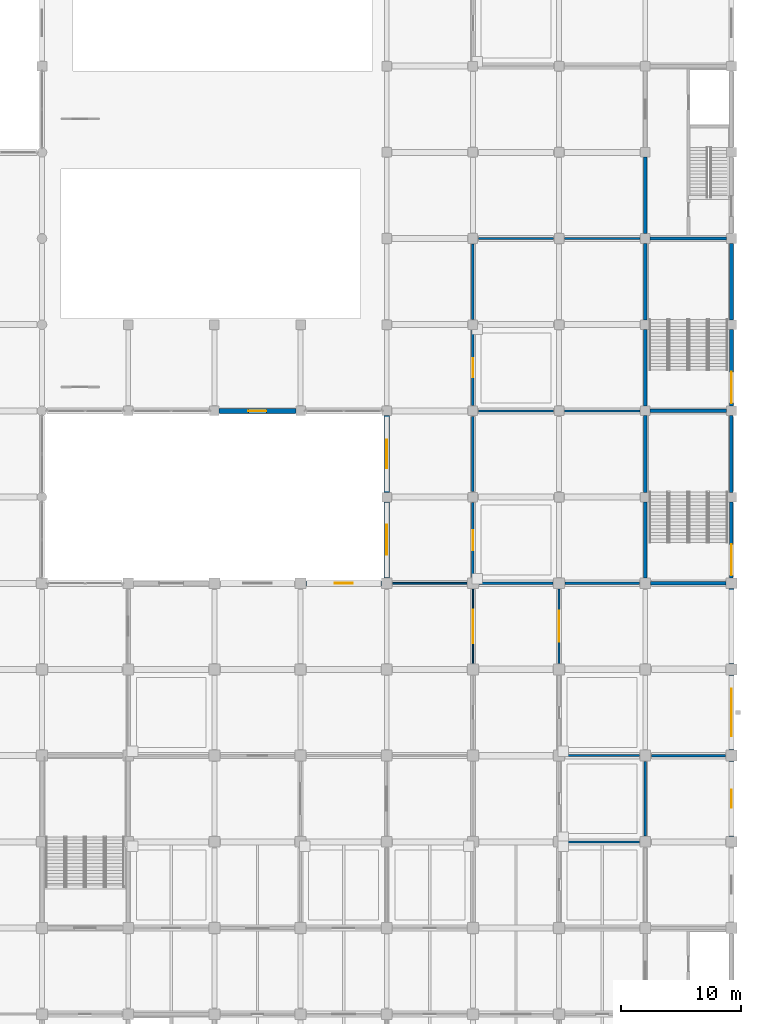
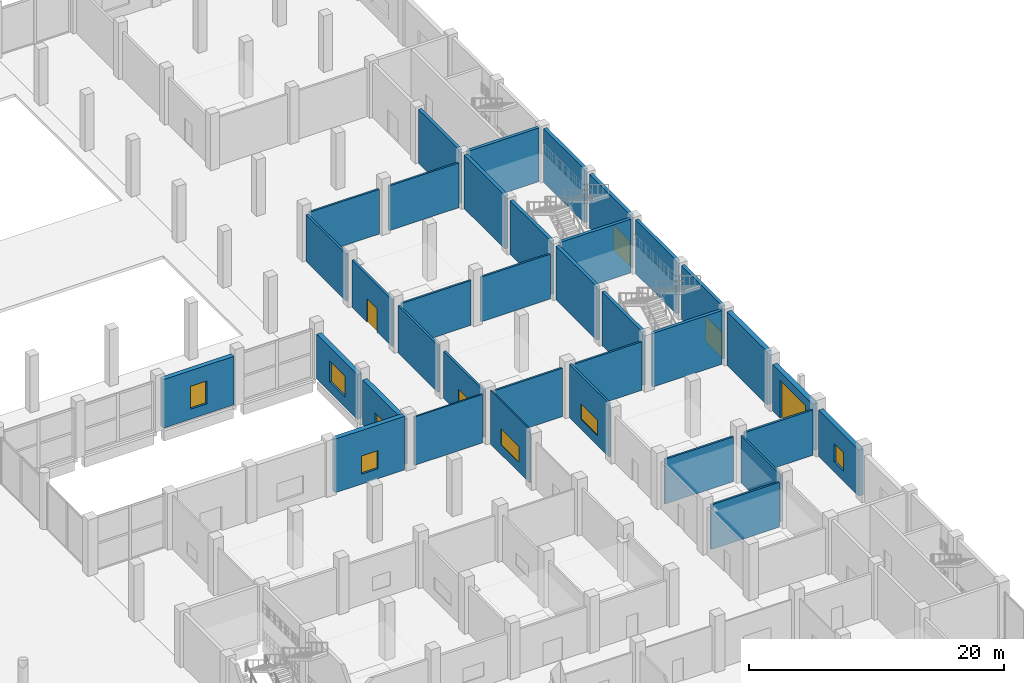
# One storey, part 52 of 70: 36 walls, 7 windows, 5 doors, 12 openings.
"""IFC4 building model written with IfcOpenShell, lengths in metres."""

import ifcopenshell
import ifcopenshell.guid

model = None  # the IFC model being written
_history = None  # IfcOwnerHistory: only IFC2X3 demands one
_inside = {}  # id of a spatial element -> (the spatial element, [elements in it])
_under = {}  # id of a project, library or spatial element -> (it, [spatial elements below it])
_declared = {}  # id of a project -> (the project, [libraries it declares])
_typed = {}  # id of a type object -> (the type object, [elements of that type])
_made_of = {}  # id of a material, layer set ... -> (it, [elements and type objects made of it])


def new_model(schema):
    """Start an empty IFC model of exactly this schema.

    Asked for "IFC4X3", IfcOpenShell would pick the latest addendum, in which some entities
    have other attributes; the version numbers below select the first issue.
    IFC2X3 requires an IfcOwnerHistory on every rooted entity: one is made here for all.
    """
    global model, _history
    if schema == "IFC4X3":
        model = ifcopenshell.file(schema_version=(4, 3, 0, 0))
    else:
        model = ifcopenshell.file(schema=schema)
    _inside.clear()
    _under.clear()
    _declared.clear()
    _typed.clear()
    _made_of.clear()
    _history = None
    if model.schema == "IFC2X3":
        org = make("IfcOrganization", Name="unknown")
        user = make(
            "IfcPersonAndOrganization",
            ThePerson=make("IfcPerson", FamilyName="unknown"),
            TheOrganization=org,
        )
        app = make(
            "IfcApplication",
            ApplicationDeveloper=org,
            Version="unknown",
            ApplicationFullName="unknown",
            ApplicationIdentifier="unknown",
        )
        _history = make(
            "IfcOwnerHistory",
            OwningUser=user,
            OwningApplication=app,
            ChangeAction="ADDED",
            CreationDate=0,
        )
    return model


def make(cls, **values):
    """One entity of the class cls with the attributes given. An attribute that is None is left unset."""
    return model.create_entity(
        cls, **{name: value for name, value in values.items() if value is not None}
    )


def rooted(cls, **values):
    """An entity with a GlobalId (a new one), such as an element, a storey or a relation."""
    return make(cls, GlobalId=ifcopenshell.guid.new(), OwnerHistory=_history, **values)


def si_unit(unit_type, name, prefix=None):
    """IfcSIUnit, for example si_unit("LENGTHUNIT", "METRE", prefix="MILLI")."""
    return make("IfcSIUnit", UnitType=unit_type, Prefix=prefix, Name=name)


def assignment(units):
    """IfcUnitAssignment: the units of a project."""
    return None if units is None else make("IfcUnitAssignment", Units=units)


def point(xyz):
    """IfcCartesianPoint."""
    return None if xyz is None else make("IfcCartesianPoint", Coordinates=xyz)


def direction(xyz):
    """IfcDirection."""
    return None if xyz is None else make("IfcDirection", DirectionRatios=xyz)


def frame(location, z_axis=None, x_axis=None):
    """IfcAxis2Placement3D, a coordinate frame: its origin and axes. An axis left out is left unset."""
    return make(
        "IfcAxis2Placement3D",
        Location=point(location),
        Axis=direction(z_axis),
        RefDirection=direction(x_axis),
    )


def frame_2d(location, x_axis=None):
    """IfcAxis2Placement2D, a coordinate frame in the plane: its origin and x axis."""
    return make(
        "IfcAxis2Placement2D", Location=point(location), RefDirection=direction(x_axis)
    )


def origin():
    """The frame at (0, 0, 0) with its axes left unset."""
    return frame((0.0, 0.0, 0.0))


def place(relative_to, where):
    """IfcLocalPlacement: puts the frame where relative to a parent placement (None: the world)."""
    return make(
        "IfcLocalPlacement", PlacementRelTo=relative_to, RelativePlacement=where
    )


def context(
    kind, dimensions, precision=None, world=None, true_north=None, identifier=None
):
    """IfcGeometricRepresentationContext, for example the 3D "Model" context."""
    return make(
        "IfcGeometricRepresentationContext",
        ContextIdentifier=identifier,
        ContextType=kind,
        CoordinateSpaceDimension=dimensions,
        Precision=precision,
        WorldCoordinateSystem=world,
        TrueNorth=true_north,
    )


def subcontext(parent, identifier, kind, view, scale=None):
    """IfcGeometricRepresentationSubContext, for example "Body" below "Model"."""
    return make(
        "IfcGeometricRepresentationSubContext",
        ContextIdentifier=identifier,
        ContextType=kind,
        ParentContext=parent,
        TargetScale=scale,
        TargetView=view,
    )


def project(units=None, contexts=None):
    """IfcProject with its units and contexts."""
    return rooted(
        "IfcProject",
        Name="project",
        RepresentationContexts=contexts,
        UnitsInContext=assignment(units),
    )


def spatial(cls, under=None, at=None, **own):
    """A site, building, storey or space (cls), placed at a placement, below another one or the project."""
    s = rooted(cls, ObjectPlacement=at, **own)
    if under is not None:
        _under.setdefault(under.id(), (under, []))[1].append(s)
    return s


def profile(cls, at=None, kind="AREA", **sizes):
    """A parametric profile (cls). Its sizes go by their IFC names, for example OverallWidth=200.0."""
    return make(cls, ProfileType=kind, Position=at, **sizes)


def rectangle(**sizes):
    """IfcRectangleProfileDef."""
    return profile("IfcRectangleProfileDef", **sizes)


def extrude(swept, where, along, depth):
    """IfcExtrudedAreaSolid: the profile swept, set in the frame where, extruded along a direction by depth."""
    return make(
        "IfcExtrudedAreaSolid",
        SweptArea=swept,
        Position=where,
        ExtrudedDirection=direction(along),
        Depth=depth,
    )


def shape(context_of_items, identifier, shape_type, items):
    """IfcShapeRepresentation: the items that make up one representation, for example the "Body"."""
    return make(
        "IfcShapeRepresentation",
        ContextOfItems=context_of_items,
        RepresentationIdentifier=identifier,
        RepresentationType=shape_type,
        Items=items,
    )


def material(Name=None, Category=None):
    """IfcMaterial."""
    return make("IfcMaterial", Name=Name, Category=Category)


def layer(
    of_material, thickness, ventilated=None, Name=None, Category=None, Priority=None
):
    """IfcMaterialLayer: one layer of a wall or slab, of a material (None: an air gap)."""
    return make(
        "IfcMaterialLayer",
        Material=of_material,
        LayerThickness=thickness,
        IsVentilated=ventilated,
        Name=Name,
        Category=Category,
        Priority=Priority,
    )


def layer_set(layers, Name=None):
    """IfcMaterialLayerSet."""
    return make("IfcMaterialLayerSet", MaterialLayers=layers, LayerSetName=Name)


def made_of(thing, what):
    """Note that an element or type object is made of a material, layer set ...; save() writes the relation."""
    if what is not None:
        _made_of.setdefault(what.id(), (what, []))[1].append(thing)
    return thing


def type_object(cls, material=None, **own):
    """A type object (cls), such as IfcWallType, which elements share."""
    return made_of(rooted(cls, **own), material)


def element(
    cls,
    number,
    at=None,
    inside=None,
    cuts=None,
    type_object=None,
    material=None,
    context=None,
    identifier="Body",
    shape_type=None,
    held_by="IfcProductDefinitionShape",
    body=None,
    shapes=None,
    **own,
):
    """One element of the class cls, such as IfcWall. Its Tag is "e" and its number.

    at: its placement. inside: the storey or other place that contains it. cuts: it is an
    opening in that element (IfcRelVoidsElement). A single representation is given by context,
    identifier, shape_type and body (its items); several are given by shapes. held_by: the class
    of the entity that holds the representations. save() writes the other relations.
    """
    e = rooted(cls, Tag="e%d" % number, ObjectPlacement=at, **own)
    if body is not None:
        shapes = [shape(context, identifier, shape_type, body)]
    if shapes is not None:
        e.Representation = make(held_by, Representations=shapes)
    if inside is not None:
        _inside.setdefault(inside.id(), (inside, []))[1].append(e)
    if cuts is not None:
        rooted(
            "IfcRelVoidsElement", RelatingBuildingElement=cuts, RelatedOpeningElement=e
        )
    if type_object is not None:
        _typed.setdefault(type_object.id(), (type_object, []))[1].append(e)
    return made_of(e, material)


def fill(opening, filler):
    """IfcRelFillsElement: the door or window that sits in an opening."""
    return rooted(
        "IfcRelFillsElement",
        RelatingOpeningElement=opening,
        RelatedBuildingElement=filler,
    )


def aggregate(whole, parts):
    """IfcRelAggregates: a whole, such as a stair, and the parts it consists of."""
    return rooted("IfcRelAggregates", RelatingObject=whole, RelatedObjects=parts)


def save(model, path):
    """Write the relations noted so far, then the file.

    IfcRelAggregates (storeys below a building ...), IfcRelContainedInSpatialStructure (elements
    in a storey), IfcRelDefinesByType, IfcRelAssociatesMaterial and IfcRelDeclares: one each for
    every whole, place, type object, material and project.
    """
    for whole, parts in _under.values():
        aggregate(whole, parts)
    for where, things in _inside.values():
        rooted(
            "IfcRelContainedInSpatialStructure",
            RelatedElements=things,
            RelatingStructure=where,
        )
    for kind, things in _typed.values():
        rooted("IfcRelDefinesByType", RelatedObjects=things, RelatingType=kind)
    for what, things in _made_of.values():
        rooted("IfcRelAssociatesMaterial", RelatedObjects=things, RelatingMaterial=what)
    for by, libraries in _declared.values():
        rooted("IfcRelDeclares", RelatingContext=by, RelatedDefinitions=libraries)
    model.write(path)


model = new_model("IFC4")

# Units and contexts
model_context = context("Model", 3, precision=1e-05, world=origin(), true_north=direction((0.0, 1.0)))
body_context = subcontext(model_context, "Body", "Model", "MODEL_VIEW")
ifc_project = project(units=[si_unit("LENGTHUNIT", "METRE"), si_unit("AREAUNIT", "SQUARE_METRE"), si_unit("VOLUMEUNIT", "CUBIC_METRE"), si_unit("PLANEANGLEUNIT", "RADIAN"), si_unit("MASSUNIT", "GRAM", prefix="KILO")], contexts=[model_context])

# Site, building, storey
site_placement = place(None, origin())
site = spatial("IfcSite", under=ifc_project, at=site_placement, CompositionType="ELEMENT")
building_placement = place(site_placement, origin())
building = spatial("IfcBuilding", under=site, at=building_placement, Name="Vesperath Aquatics Centre", CompositionType="ELEMENT")
storey_placement = place(building_placement, origin())
storey = spatial("IfcBuildingStorey", under=building, at=storey_placement, Name="L00", CompositionType="ELEMENT", Elevation=0.0)

# Wall, opening, window
ifc_material_1 = material(Name="Liaoning grey granite ashlar insulated cavity wall", Category="masonry")
ifc_layer_1 = layer(ifc_material_1, 0.419921875)
ifc_layer_set_1 = layer_set([ifc_layer_1], Name="Liaoning grey granite ashlar insulated cavity wall")
wall_type_1 = type_object("IfcWallType", Name="WL-EW01", PredefinedType="SOLIDWALL", material=ifc_layer_set_1)
wall_1_placement = place(storey_placement, frame((137.25, 50.39990234375, 0.0), z_axis=(0.0, 0.0, 1.0), x_axis=(1.0, 0.0, 0.0)))
wall_1 = element("IfcWall", 1, at=wall_1_placement, inside=storey, type_object=wall_type_1, Name="Exterior Wall EW01 L00_N_19_07", PredefinedType="SOLIDWALL", context=body_context, shape_type="SweptSolid", body=[
    extrude(rectangle(XDim=6.300048828125, YDim=0.419921875, at=frame_2d((3.14990234375, 0.0))), origin(), (0.0, 0.0, 1.0), 5.139892578125),
])
opening_1_placement = place(wall_1_placement, frame((2.39990234375, 0.0, 0.949951171875)))
opening_1 = element("IfcOpeningElement", 2, at=opening_1_placement, cuts=wall_1, Name="Opening W13", PredefinedType="OPENING", context=body_context, shape_type="SweptSolid", body=[
    extrude(rectangle(XDim=1.5, YDim=1.75, at=frame_2d((0.75, 0.875))), frame((0.0, 0.224853515625, 0.0), z_axis=(0.0, -1.0, 0.0), x_axis=(1.0, 0.0, 0.0)), (0.0, 0.0, 1.0), 0.44970703125),
])
ifc_material_2 = material(Name="Thermally broken aluminium triple-glazed window", Category="aluminium")
window_type_1 = type_object("IfcWindowType", Name="WN-W13", PartitioningType="SINGLE_PANEL", PredefinedType="WINDOW", material=ifc_material_2)
window_1_placement = place(opening_1_placement, origin())
window_1 = element("IfcWindow", 3, at=window_1_placement, inside=storey, type_object=window_type_1, Name="Deep-Reveal Casement Window W13 L00_N_19_07", OverallHeight=1.75, OverallWidth=1.5, PartitioningType="SINGLE_PANEL", PredefinedType="WINDOW", context=body_context, shape_type="SweptSolid", body=[
    extrude(rectangle(XDim=1.5, YDim=1.75, at=frame_2d((0.75, 0.875))), frame((0.0, 0.030029296875, 0.0), z_axis=(0.0, -1.0, 0.0), x_axis=(1.0, 0.0, 0.0)), (0.0, 0.0, 1.0), 0.06005859375),
])
fill(opening_1, window_1)

wall_2_placement = place(storey_placement, frame((130.0, 64.800048828125, 0.0), z_axis=(0.0, 0.0, 1.0), x_axis=(1.0, 0.0, 0.0)))
wall_2 = element("IfcWall", 4, at=wall_2_placement, inside=storey, type_object=wall_type_1, Name="Exterior Wall EW01 L00_S_18_09", PredefinedType="SOLIDWALL", context=body_context, shape_type="SweptSolid", body=[
    extrude(rectangle(XDim=6.39990234375, YDim=0.419921875, at=frame_2d((3.199951171875, 0.0))), origin(), (0.0, 0.0, 1.0), 4.639892578125),
])
opening_2_placement = place(wall_2_placement, frame((2.449951171875, 0.0, 0.949951171875)))
opening_2 = element("IfcOpeningElement", 5, at=opening_2_placement, cuts=wall_2, Name="Opening W04", PredefinedType="OPENING", context=body_context, shape_type="SweptSolid", body=[
    extrude(rectangle(XDim=1.5, YDim=2.199951171875, at=frame_2d((0.75, 1.10009765625))), frame((0.0, 0.224853515625, 0.0), z_axis=(0.0, -1.0, 0.0), x_axis=(1.0, 0.0, 0.0)), (0.0, 0.0, 1.0), 0.44970703125),
])
window_type_2 = type_object("IfcWindowType", Name="WN-W04", PartitioningType="SINGLE_PANEL", PredefinedType="WINDOW", material=ifc_material_2)
window_2_placement = place(opening_2_placement, origin())
window_2 = element("IfcWindow", 6, at=window_2_placement, inside=storey, type_object=window_type_2, Name="Deep-Reveal Casement Window W04 L00_S_18_09", OverallHeight=2.199951171875, OverallWidth=1.5, PartitioningType="SINGLE_PANEL", PredefinedType="WINDOW", context=body_context, shape_type="SweptSolid", body=[
    extrude(rectangle(XDim=1.5, YDim=2.199951171875, at=frame_2d((0.75, 1.10009765625))), frame((0.0, 0.030029296875, 0.0), z_axis=(0.0, -1.0, 0.0), x_axis=(1.0, 0.0, 0.0)), (0.0, 0.0, 1.0), 0.06005859375),
])
fill(opening_2, window_2)

wall_3_placement = place(storey_placement, frame((144.0, 50.85009765625, 0.0), z_axis=(0.0, 0.0, 1.0), x_axis=(0.0, 1.0, 0.0)))
wall_3 = element("IfcWall", 7, at=wall_3_placement, inside=storey, type_object=wall_type_1, Name="Exterior Wall EW01 L00_W_20_07", PredefinedType="SOLIDWALL", context=body_context, shape_type="SweptSolid", body=[
    extrude(rectangle(XDim=6.349853515625, YDim=0.419921875, at=frame_2d((3.1748046875, 0.0))), origin(), (0.0, 0.0, 1.0), 4.2900390625),
])
opening_3_placement = place(wall_3_placement, frame((1.925048828125, 0.0, 0.949951171875)))
opening_3 = element("IfcOpeningElement", 8, at=opening_3_placement, cuts=wall_3, Name="Opening W16", PredefinedType="OPENING", context=body_context, shape_type="SweptSolid", body=[
    extrude(rectangle(XDim=2.5, YDim=1.35009765625, at=frame_2d((1.25, 0.675048828125))), frame((0.0, 0.224853515625, 0.0), z_axis=(0.0, -1.0, 0.0), x_axis=(1.0, 0.0, 0.0)), (0.0, 0.0, 1.0), 0.44970703125),
])
window_type_3 = type_object("IfcWindowType", Name="WN-W16", PartitioningType="SINGLE_PANEL", PredefinedType="WINDOW", material=ifc_material_2)
window_3_placement = place(opening_3_placement, origin())
window_3 = element("IfcWindow", 9, at=window_3_placement, inside=storey, type_object=window_type_3, Name="Deep-Reveal Casement Window W16 L00_W_20_07", OverallHeight=1.35009765625, OverallWidth=2.5, PartitioningType="SINGLE_PANEL", PredefinedType="WINDOW", context=body_context, shape_type="SweptSolid", body=[
    extrude(rectangle(XDim=2.5, YDim=1.35009765625, at=frame_2d((1.25, 0.675048828125))), frame((0.0, 0.030029296875, 0.0), z_axis=(0.0, -1.0, 0.0), x_axis=(1.0, 0.0, 0.0)), (0.0, 0.0, 1.0), 0.06005859375),
])
fill(opening_3, window_3)

wall_4_placement = place(storey_placement, frame((144.0, 58.0, 0.0), z_axis=(0.0, 0.0, 1.0), x_axis=(0.0, 1.0, 0.0)))
wall_4 = element("IfcWall", 10, at=wall_4_placement, inside=storey, type_object=wall_type_1, Name="Exterior Wall EW01 L00_W_20_08", PredefinedType="SOLIDWALL", context=body_context, shape_type="SweptSolid", body=[
    extrude(rectangle(XDim=6.39990234375, YDim=0.419921875, at=frame_2d((3.199951171875, 0.0))), origin(), (0.0, 0.0, 1.0), 4.2900390625),
])
opening_4_placement = place(wall_4_placement, frame((2.0, 0.0, 0.949951171875)))
opening_4 = element("IfcOpeningElement", 11, at=opening_4_placement, cuts=wall_4, Name="Opening W05", PredefinedType="OPENING", context=body_context, shape_type="SweptSolid", body=[
    extrude(rectangle(XDim=2.39990234375, YDim=2.0, at=frame_2d((1.199951171875, 1.0))), frame((0.0, 0.224853515625, 0.0), z_axis=(0.0, -1.0, 0.0), x_axis=(1.0, 0.0, 0.0)), (0.0, 0.0, 1.0), 0.44970703125),
])
window_type_4 = type_object("IfcWindowType", Name="WN-W05", PartitioningType="SINGLE_PANEL", PredefinedType="WINDOW", material=ifc_material_2)
window_4_placement = place(opening_4_placement, origin())
window_4 = element("IfcWindow", 12, at=window_4_placement, inside=storey, type_object=window_type_4, Name="Deep-Reveal Casement Window W05 L00_W_20_08", OverallHeight=2.0, OverallWidth=2.39990234375, PartitioningType="SINGLE_PANEL", PredefinedType="WINDOW", context=body_context, shape_type="SweptSolid", body=[
    extrude(rectangle(XDim=2.39990234375, YDim=2.0, at=frame_2d((1.199951171875, 1.0))), frame((0.0, 0.030029296875, 0.0), z_axis=(0.0, -1.0, 0.0), x_axis=(1.0, 0.0, 0.0)), (0.0, 0.0, 1.0), 0.06005859375),
])
fill(opening_4, window_4)

wall_5_placement = place(storey_placement, frame((172.800048828125, 29.25, 0.0), z_axis=(0.0, 0.0, 1.0), x_axis=(0.0, 1.0, 0.0)))
wall_5 = element("IfcWall", 13, at=wall_5_placement, inside=storey, type_object=wall_type_1, Name="Exterior Wall EW01 L00_E_24_04", PredefinedType="SOLIDWALL", context=body_context, shape_type="SweptSolid", body=[
    extrude(rectangle(XDim=6.300048828125, YDim=0.419921875, at=frame_2d((3.14990234375, 0.0))), origin(), (0.0, 0.0, 1.0), 4.43994140625),
])
opening_5_placement = place(wall_5_placement, frame((2.39990234375, 0.0, 0.949951171875)))
opening_5 = element("IfcOpeningElement", 14, at=opening_5_placement, cuts=wall_5, Name="Opening W13", PredefinedType="OPENING", context=body_context, shape_type="SweptSolid", body=[
    extrude(rectangle(XDim=1.5, YDim=1.75, at=frame_2d((0.75, 0.875))), frame((0.0, 0.224853515625, 0.0), z_axis=(0.0, -1.0, 0.0), x_axis=(1.0, 0.0, 0.0)), (0.0, 0.0, 1.0), 0.44970703125),
])
window_5_placement = place(opening_5_placement, origin())
window_5 = element("IfcWindow", 15, at=window_5_placement, inside=storey, type_object=window_type_1, Name="Deep-Reveal Casement Window W13 L00_E_24_04", OverallHeight=1.75, OverallWidth=1.5, PartitioningType="SINGLE_PANEL", PredefinedType="WINDOW", context=body_context, shape_type="SweptSolid", body=[
    extrude(rectangle(XDim=1.5, YDim=1.75, at=frame_2d((0.75, 0.875))), frame((0.0, 0.030029296875, 0.0), z_axis=(0.0, -1.0, 0.0), x_axis=(1.0, 0.0, 0.0)), (0.0, 0.0, 1.0), 0.06005859375),
])
fill(opening_5, window_5)

# Wall, opening, door
wall_6_placement = place(storey_placement, frame((172.800048828125, 36.449951171875, 0.0), z_axis=(0.0, 0.0, 1.0), x_axis=(0.0, 1.0, 0.0)))
wall_6 = element("IfcWall", 16, at=wall_6_placement, inside=storey, type_object=wall_type_1, Name="Exterior Wall EW01 L00_E_24_05", PredefinedType="SOLIDWALL", context=body_context, shape_type="SweptSolid", body=[
    extrude(rectangle(XDim=6.300048828125, YDim=0.419921875, at=frame_2d((3.14990234375, 0.0))), origin(), (0.0, 0.0, 1.0), 4.43994140625),
])
opening_6_placement = place(wall_6_placement, frame((1.14990234375, 0.0, 0.0)))
opening_6 = element("IfcOpeningElement", 17, at=opening_6_placement, cuts=wall_6, Name="Opening RS01", PredefinedType="OPENING", context=body_context, shape_type="SweptSolid", body=[
    extrude(rectangle(XDim=4.0, YDim=3.60009765625, at=frame_2d((2.0, 1.800048828125))), frame((0.0, 0.224853515625, 0.0), z_axis=(0.0, -1.0, 0.0), x_axis=(1.0, 0.0, 0.0)), (0.0, 0.0, 1.0), 0.44970703125),
])
ifc_material_3 = material(Name="Thermally broken bronze-anodised glazed aluminium door", Category="aluminium")
door_type_1 = type_object("IfcDoorType", Name="DR-RS01", OperationType="ROLLINGUP", PredefinedType="DOOR", material=ifc_material_3)
door_1_placement = place(opening_6_placement, frame((4.0, 0.0, 0.0), z_axis=(0.0, 0.0, 1.0), x_axis=(-1.0, 0.0, 0.0)))
door_1 = element("IfcDoor", 18, at=door_1_placement, inside=storey, type_object=door_type_1, Name="Loading Bay Insulated Roller Shutter RS01", OperationType="ROLLINGUP", OverallHeight=3.60009765625, OverallWidth=4.0, PredefinedType="DOOR", context=body_context, shape_type="SweptSolid", body=[
    extrude(rectangle(XDim=4.0, YDim=3.60009765625, at=frame_2d((2.0, 1.800048828125))), frame((0.0, 0.02490234375, 0.0), z_axis=(0.0, -1.0, 0.0), x_axis=(1.0, 0.0, 0.0)), (0.0, 0.0, 1.0), 0.050048828125),
])
fill(opening_6, door_1)

# Wall
wall_7_placement = place(storey_placement, frame((172.800048828125, 43.64990234375, 0.0), z_axis=(0.0, 0.0, 1.0), x_axis=(0.0, 1.0, 0.0)))
element("IfcWall", 19, at=wall_7_placement, inside=storey, type_object=wall_type_1, Name="Exterior Wall EW01 L00_E_24_06", PredefinedType="SOLIDWALL", context=body_context, shape_type="SweptSolid", body=[
    extrude(rectangle(XDim=6.300048828125, YDim=0.419921875, at=frame_2d((3.14990234375, 0.0))), origin(), (0.0, 0.0, 1.0), 5.139892578125),
])

# Wall, opening, door
ifc_material_4 = material(Name="Wet-village masonry block wall", Category="masonry")
ifc_layer_2 = layer(ifc_material_4, 0.199951171875)
ifc_layer_set_2 = layer_set([ifc_layer_2], Name="Wet-village masonry block wall")
wall_type_2 = type_object("IfcWallType", Name="WL-FW03", PredefinedType="SOLIDWALL", material=ifc_layer_set_2)
wall_8_placement = place(storey_placement, frame((151.199951171875, 50.89990234375, 0.0), z_axis=(0.0, 0.0, 1.0), x_axis=(0.0, 1.0, 0.0)))
wall_8 = element("IfcWall", 20, at=wall_8_placement, inside=storey, type_object=wall_type_2, Name="Interior Partition FW03 L00_CHG_M-W1", PredefinedType="SOLIDWALL", context=body_context, shape_type="SweptSolid", body=[
    extrude(rectangle(XDim=6.25, YDim=0.199951171875, at=frame_2d((3.125, 0.0))), origin(), (0.0, 0.0, 1.0), 4.489990234375),
])
opening_7_placement = place(wall_8_placement, frame((2.260009765625, 0.0, 0.0)))
opening_7 = element("IfcOpeningElement", 21, at=opening_7_placement, cuts=wall_8, Name="Opening D24", PredefinedType="OPENING", context=body_context, shape_type="SweptSolid", body=[
    extrude(rectangle(XDim=1.679931640625, YDim=2.25, at=frame_2d((0.83984375, 1.125))), frame((0.0, 0.11474609375, 0.0), z_axis=(0.0, -1.0, 0.0), x_axis=(1.0, 0.0, 0.0)), (0.0, 0.0, 1.0), 0.229736328125),
])
ifc_material_5 = material(Name="Gymnasium acoustic glazed double door", Category="aluminium")
door_type_2 = type_object("IfcDoorType", Name="DR-RM16", OperationType="DOUBLE_SWING_LEFT", PredefinedType="DOOR", material=ifc_material_5)
door_2_placement = place(opening_7_placement, frame((1.679931640625, 0.0, 0.0), z_axis=(0.0, 0.0, 1.0), x_axis=(-1.0, 0.0, 0.0)))
door_2 = element("IfcDoor", 22, at=door_2_placement, inside=storey, type_object=door_type_2, Name="Public Male Changing and Locker Village Door D24", OperationType="DOUBLE_SWING_LEFT", OverallHeight=2.25, OverallWidth=1.679931640625, PredefinedType="DOOR", context=body_context, shape_type="SweptSolid", body=[
    extrude(rectangle(XDim=1.679931640625, YDim=2.25, at=frame_2d((0.83984375, 1.125))), frame((0.0, 0.02490234375, 0.0), z_axis=(0.0, -1.0, 0.0), x_axis=(1.0, 0.0, 0.0)), (0.0, 0.0, 1.0), 0.050048828125),
])
fill(opening_7, door_2)

# Wall
wall_9_placement = place(storey_placement, frame((151.199951171875, 58.050048828125, 0.0), z_axis=(0.0, 0.0, 1.0), x_axis=(0.0, 1.0, 0.0)))
element("IfcWall", 23, at=wall_9_placement, inside=storey, type_object=wall_type_2, Name="Interior Partition FW03 L00_CHG_M-W2", PredefinedType="SOLIDWALL", context=body_context, shape_type="SweptSolid", body=[
    extrude(rectangle(XDim=6.300048828125, YDim=0.199951171875, at=frame_2d((3.14990234375, 0.0))), origin(), (0.0, 0.0, 1.0), 4.489990234375),
])

# Wall, opening, door
wall_10_placement = place(storey_placement, frame((151.199951171875, 65.25, 0.0), z_axis=(0.0, 0.0, 1.0), x_axis=(0.0, 1.0, 0.0)))
wall_10 = element("IfcWall", 24, at=wall_10_placement, inside=storey, type_object=wall_type_2, Name="Interior Partition FW03 L00_CHG_F-W1", PredefinedType="SOLIDWALL", context=body_context, shape_type="SweptSolid", body=[
    extrude(rectangle(XDim=6.300048828125, YDim=0.199951171875, at=frame_2d((3.14990234375, 0.0))), origin(), (0.0, 0.0, 1.0), 4.489990234375),
])
opening_8_placement = place(wall_10_placement, frame((2.360107421875, 0.0, 0.0)))
opening_8 = element("IfcOpeningElement", 25, at=opening_8_placement, cuts=wall_10, Name="Opening D25", PredefinedType="OPENING", context=body_context, shape_type="SweptSolid", body=[
    extrude(rectangle(XDim=1.580078125, YDim=2.25, at=frame_2d((0.7900390625, 1.125))), frame((0.0, 0.11474609375, 0.0), z_axis=(0.0, -1.0, 0.0), x_axis=(1.0, 0.0, 0.0)), (0.0, 0.0, 1.0), 0.229736328125),
])
ifc_material_6 = material(Name="Fitness studio acoustic double door", Category="steel")
door_type_3 = type_object("IfcDoorType", Name="DR-RM17", OperationType="DOUBLE_SWING_LEFT", PredefinedType="DOOR", material=ifc_material_6)
door_3_placement = place(opening_8_placement, frame((1.580078125, 0.0, 0.0), z_axis=(0.0, 0.0, 1.0), x_axis=(-1.0, 0.0, 0.0)))
door_3 = element("IfcDoor", 26, at=door_3_placement, inside=storey, type_object=door_type_3, Name="Public Female Changing and Locker Village Door D25", OperationType="DOUBLE_SWING_LEFT", OverallHeight=2.25, OverallWidth=1.580078125, PredefinedType="DOOR", context=body_context, shape_type="SweptSolid", body=[
    extrude(rectangle(XDim=1.580078125, YDim=2.25, at=frame_2d((0.7900390625, 1.125))), frame((0.0, 0.02490234375, 0.0), z_axis=(0.0, -1.0, 0.0), x_axis=(1.0, 0.0, 0.0)), (0.0, 0.0, 1.0), 0.050048828125),
])
fill(opening_8, door_3)

# Walls
wall_11_placement = place(storey_placement, frame((151.199951171875, 72.449951171875, 0.0), z_axis=(0.0, 0.0, 1.0), x_axis=(0.0, 1.0, 0.0)))
element("IfcWall", 27, at=wall_11_placement, inside=storey, type_object=wall_type_2, Name="Interior Partition FW03 L00_CHG_F-W2", PredefinedType="SOLIDWALL", context=body_context, shape_type="SweptSolid", body=[
    extrude(rectangle(XDim=6.300048828125, YDim=0.199951171875, at=frame_2d((3.14990234375, 0.0))), origin(), (0.0, 0.0, 1.0), 4.489990234375),
])
ifc_material_7 = material(Name="Plant acoustic masonry wall", Category="masonry")
ifc_layer_3 = layer(ifc_material_7, 0.18994140625)
ifc_layer_set_3 = layer_set([ifc_layer_3], Name="Plant acoustic masonry wall")
wall_type_3 = type_object("IfcWallType", Name="WL-FW04", PredefinedType="SOLIDWALL", material=ifc_layer_set_3)
wall_12_placement = place(storey_placement, frame((166.10009765625, 36.0, 0.0), z_axis=(0.0, 0.0, 1.0), x_axis=(1.0, 0.0, 0.0)))
element("IfcWall", 28, at=wall_12_placement, inside=storey, type_object=wall_type_3, Name="Interior Partition FW04 L00_LOADING-S1", PredefinedType="SOLIDWALL", context=body_context, shape_type="SweptSolid", body=[
    extrude(rectangle(XDim=6.199951171875, YDim=0.18994140625, at=frame_2d((3.10009765625, 0.0))), origin(), (0.0, 0.0, 1.0), 4.340087890625),
])

# Wall, opening, window
wall_13_placement = place(storey_placement, frame((158.39990234375, 43.699951171875, 0.0), z_axis=(0.0, 0.0, 1.0), x_axis=(0.0, 1.0, 0.0)))
wall_13 = element("IfcWall", 29, at=wall_13_placement, inside=storey, type_object=wall_type_3, Name="Interior Partition FW04 L00_LOADING-W2", PredefinedType="SOLIDWALL", context=body_context, shape_type="SweptSolid", body=[
    extrude(rectangle(XDim=6.199951171875, YDim=0.18994140625, at=frame_2d((3.10009765625, 0.0))), origin(), (0.0, 0.0, 1.0), 5.139892578125),
])
opening_9_placement = place(wall_13_placement, frame((1.800048828125, 0.0, 0.949951171875)))
opening_9 = element("IfcOpeningElement", 30, at=opening_9_placement, cuts=wall_13, Name="Opening VW02", PredefinedType="OPENING", context=body_context, shape_type="SweptSolid", body=[
    extrude(rectangle(XDim=2.60009765625, YDim=1.5, at=frame_2d((1.300048828125, 0.75))), frame((0.0, 0.10986328125, 0.0), z_axis=(0.0, -1.0, 0.0), x_axis=(1.0, 0.0, 0.0)), (0.0, 0.0, 1.0), 0.2197265625),
])
ifc_material_8 = material(Name="Acoustic laminated interior viewing glazing", Category="glass")
window_type_5 = type_object("IfcWindowType", Name="WN-IW02", PartitioningType="SINGLE_PANEL", PredefinedType="WINDOW", material=ifc_material_8)
window_6_placement = place(opening_9_placement, origin())
window_6 = element("IfcWindow", 31, at=window_6_placement, inside=storey, type_object=window_type_5, Name="Interior Viewing Window VW02 L00_LOADING", OverallHeight=1.5, OverallWidth=2.60009765625, PartitioningType="SINGLE_PANEL", PredefinedType="WINDOW", context=body_context, shape_type="SweptSolid", body=[
    extrude(rectangle(XDim=2.60009765625, YDim=1.5, at=frame_2d((1.300048828125, 0.75))), frame((0.0, 0.030029296875, 0.0), z_axis=(0.0, -1.0, 0.0), x_axis=(1.0, 0.0, 0.0)), (0.0, 0.0, 1.0), 0.06005859375),
])
fill(opening_9, window_6)

# Walls
ifc_material_9 = material(Name="Moisture-resistant tiled wet partition", Category="gypsum")
ifc_layer_4 = layer(ifc_material_9, 0.175048828125)
ifc_layer_set_4 = layer_set([ifc_layer_4], Name="Moisture-resistant tiled wet partition")
wall_type_4 = type_object("IfcWallType", Name="WL-IW02", PredefinedType="PARTITIONING", material=ifc_layer_set_4)
wall_14_placement = place(storey_placement, frame((151.699951171875, 50.39990234375, 0.0), z_axis=(0.0, 0.0, 1.0), x_axis=(1.0, 0.0, 0.0)))
element("IfcWall", 32, at=wall_14_placement, inside=storey, type_object=wall_type_4, Name="Interior Partition IW02 L00_CHG_M-S1", PredefinedType="PARTITIONING", context=body_context, shape_type="SweptSolid", body=[
    extrude(rectangle(XDim=6.199951171875, YDim=0.175048828125, at=frame_2d((3.10009765625, 0.0))), origin(), (0.0, 0.0, 1.0), 4.639892578125),
])
wall_15_placement = place(storey_placement, frame((158.89990234375, 50.39990234375, 0.0), z_axis=(0.0, 0.0, 1.0), x_axis=(1.0, 0.0, 0.0)))
element("IfcWall", 33, at=wall_15_placement, inside=storey, type_object=wall_type_4, Name="Interior Partition IW02 L00_CHG_M-S2", PredefinedType="PARTITIONING", context=body_context, shape_type="SweptSolid", body=[
    extrude(rectangle(XDim=6.2001953125, YDim=0.175048828125, at=frame_2d((3.10009765625, 0.0))), origin(), (0.0, 0.0, 1.0), 4.639892578125),
])
wall_16_placement = place(storey_placement, frame((151.64990234375, 64.800048828125, 0.0), z_axis=(0.0, 0.0, 1.0), x_axis=(1.0, 0.0, 0.0)))
element("IfcWall", 34, at=wall_16_placement, inside=storey, type_object=wall_type_4, Name="Interior Partition IW02 L00_CHG_M-N1", PredefinedType="PARTITIONING", context=body_context, shape_type="SweptSolid", body=[
    extrude(rectangle(XDim=6.300048828125, YDim=0.175048828125, at=frame_2d((3.14990234375, 0.0))), origin(), (0.0, 0.0, 1.0), 4.2900390625),
])
wall_17_placement = place(storey_placement, frame((158.85009765625, 64.800048828125, 0.0), z_axis=(0.0, 0.0, 1.0), x_axis=(1.0, 0.0, 0.0)))
element("IfcWall", 35, at=wall_17_placement, inside=storey, type_object=wall_type_4, Name="Interior Partition IW02 L00_CHG_M-N2", PredefinedType="PARTITIONING", context=body_context, shape_type="SweptSolid", body=[
    extrude(rectangle(XDim=6.2998046875, YDim=0.175048828125, at=frame_2d((3.14990234375, 0.0))), origin(), (0.0, 0.0, 1.0), 4.2900390625),
])
wall_18_placement = place(storey_placement, frame((151.64990234375, 79.199951171875, 0.0), z_axis=(0.0, 0.0, 1.0), x_axis=(1.0, 0.0, 0.0)))
element("IfcWall", 36, at=wall_18_placement, inside=storey, type_object=wall_type_4, Name="Interior Partition IW02 L00_CHG_F-N1", PredefinedType="PARTITIONING", context=body_context, shape_type="SweptSolid", body=[
    extrude(rectangle(XDim=6.300048828125, YDim=0.175048828125, at=frame_2d((3.14990234375, 0.0))), origin(), (0.0, 0.0, 1.0), 4.2900390625),
])
wall_19_placement = place(storey_placement, frame((158.85009765625, 79.199951171875, 0.0), z_axis=(0.0, 0.0, 1.0), x_axis=(1.0, 0.0, 0.0)))
element("IfcWall", 37, at=wall_19_placement, inside=storey, type_object=wall_type_4, Name="Interior Partition IW02 L00_CHG_F-N2", PredefinedType="PARTITIONING", context=body_context, shape_type="SweptSolid", body=[
    extrude(rectangle(XDim=6.2998046875, YDim=0.175048828125, at=frame_2d((3.14990234375, 0.0))), origin(), (0.0, 0.0, 1.0), 4.2900390625),
])
for number, where, z_axis, x_axis, name in (
    (38, (158.89990234375, 28.800048828125, 0.0), (0.0, 0.0, 1.0), (1.0, 0.0, 0.0), "Interior Partition IW02 L00_MWC-N1"),
    (39, (158.89990234375, 36.0, 0.0), (0.0, 0.0, 1.0), (1.0, 0.0, 0.0), "Interior Partition IW02 L00_FWC-N1"),
):
    element("IfcWall", number, at=place(storey_placement, frame(where, z_axis=z_axis, x_axis=x_axis)), inside=storey, type_object=wall_type_4, Name=name, PredefinedType="PARTITIONING", context=body_context, shape_type="SweptSolid", body=[
        extrude(rectangle(XDim=6.2001953125, YDim=0.175048828125, at=frame_2d((3.10009765625, 0.0))), origin(), (0.0, 0.0, 1.0), 4.2900390625),
    ])
wall_20_placement = place(storey_placement, frame((165.60009765625, 29.300048828125, 0.0), z_axis=(0.0, 0.0, 1.0), x_axis=(0.0, 1.0, 0.0)))
element("IfcWall", 40, at=wall_20_placement, inside=storey, type_object=wall_type_4, Name="Interior Partition IW02 L00_FWC-E1", PredefinedType="PARTITIONING", context=body_context, shape_type="SweptSolid", body=[
    extrude(rectangle(XDim=6.199951171875, YDim=0.175048828125, at=frame_2d((3.10009765625, 0.0))), origin(), (0.0, 0.0, 1.0), 4.489990234375),
])
ifc_material_10 = material(Name="Changing cubicle masonry-backed partition", Category="masonry")
ifc_layer_5 = layer(ifc_material_10, 0.137939453125)
ifc_layer_set_5 = layer_set([ifc_layer_5], Name="Changing cubicle masonry-backed partition")
wall_type_5 = type_object("IfcWallType", Name="WL-IW07", PredefinedType="PARTITIONING", material=ifc_layer_set_5)
wall_21_placement = place(storey_placement, frame((144.5, 50.39990234375, 0.0), z_axis=(0.0, 0.0, 1.0), x_axis=(1.0, 0.0, 0.0)))
element("IfcWall", 41, at=wall_21_placement, inside=storey, type_object=wall_type_5, Name="Interior Partition IW07 L00_COMMUNITY-N1", PredefinedType="PARTITIONING", context=body_context, shape_type="SweptSolid", body=[
    extrude(rectangle(XDim=6.199951171875, YDim=0.137939453125, at=frame_2d((3.10009765625, 0.0))), origin(), (0.0, 0.0, 1.0), 4.639892578125),
])

# Wall, opening, window
ifc_material_11 = material(Name="Kiosk counter partition", Category="gypsum")
ifc_layer_6 = layer(ifc_material_11, 0.10791015625)
ifc_layer_set_6 = layer_set([ifc_layer_6], Name="Kiosk counter partition")
wall_type_6 = type_object("IfcWallType", Name="WL-IW11", PredefinedType="PARTITIONING", material=ifc_layer_set_6)
wall_22_placement = place(storey_placement, frame((151.199951171875, 43.699951171875, 0.0), z_axis=(0.0, 0.0, 1.0), x_axis=(0.0, 1.0, 0.0)))
wall_22 = element("IfcWall", 42, at=wall_22_placement, inside=storey, type_object=wall_type_6, Name="Interior Partition IW11 L00_COMMUNITY-E2", PredefinedType="PARTITIONING", context=body_context, shape_type="SweptSolid", body=[
    extrude(rectangle(XDim=6.199951171875, YDim=0.10791015625, at=frame_2d((3.10009765625, 0.0))), origin(), (0.0, 0.0, 1.0), 5.139892578125),
])
opening_10_placement = place(wall_22_placement, frame((1.699951171875, 0.0, 0.949951171875)))
opening_10 = element("IfcOpeningElement", 43, at=opening_10_placement, cuts=wall_22, Name="Opening VW01", PredefinedType="OPENING", context=body_context, shape_type="SweptSolid", body=[
    extrude(rectangle(XDim=2.800048828125, YDim=1.5, at=frame_2d((1.39990234375, 0.75))), frame((0.0, 0.06884765625, 0.0), z_axis=(0.0, -1.0, 0.0), x_axis=(1.0, 0.0, 0.0)), (0.0, 0.0, 1.0), 0.1376953125),
])
window_type_6 = type_object("IfcWindowType", Name="WN-IW01", PartitioningType="SINGLE_PANEL", PredefinedType="WINDOW", material=ifc_material_8)
window_7_placement = place(opening_10_placement, origin())
window_7 = element("IfcWindow", 44, at=window_7_placement, inside=storey, type_object=window_type_6, Name="Interior Viewing Window VW01 L00_COMMUNITY", OverallHeight=1.5, OverallWidth=2.800048828125, PartitioningType="SINGLE_PANEL", PredefinedType="WINDOW", context=body_context, shape_type="SweptSolid", body=[
    extrude(rectangle(XDim=2.800048828125, YDim=1.5, at=frame_2d((1.39990234375, 0.75))), frame((0.0, 0.030029296875, 0.0), z_axis=(0.0, -1.0, 0.0), x_axis=(1.0, 0.0, 0.0)), (0.0, 0.0, 1.0), 0.06005859375),
])
fill(opening_10, window_7)

# Walls
ifc_material_12 = material(Name="Concrete C40", Category="concrete")
ifc_layer_7 = layer(ifc_material_12, 0.300048828125)
ifc_layer_set_7 = layer_set([ifc_layer_7], Name="Concrete C40")
wall_type_7 = type_object("IfcWallType", Name="WL-SW01", PredefinedType="SHEAR", material=ifc_layer_set_7)
for number, where, z_axis, x_axis, name in (
    (45, (165.60009765625, 65.199951171875, 0.0), (0.0, 0.0, 1.0), (0.0, 1.0, 0.0), "Core C13 West-1 Shear Wall SW01 L00"),
    (46, (165.60009765625, 72.39990234375, 0.0), (0.0, 0.0, 1.0), (0.0, 1.0, 0.0), "Core C13 West-2 Shear Wall SW01 L00"),
):
    element("IfcWall", number, at=place(storey_placement, frame(where, z_axis=z_axis, x_axis=x_axis)), inside=storey, type_object=wall_type_7, Name=name, PredefinedType="SHEAR", context=body_context, shape_type="SweptSolid", body=[
        extrude(rectangle(XDim=6.400146484375, YDim=0.300048828125, at=frame_2d((3.2001953125, 0.0))), origin(), (0.0, 0.0, 1.0), 5.139892578125),
    ])
ifc_layer_8 = layer(ifc_material_12, 0.280029296875)
ifc_layer_set_8 = layer_set([ifc_layer_8], Name="Concrete C40")
wall_type_8 = type_object("IfcWallType", Name="WL-SW02", PredefinedType="SHEAR", material=ifc_layer_set_8)
for number, where, z_axis, x_axis, name in (
    (47, (166.0, 79.199951171875, 0.0), (0.0, 0.0, 1.0), (1.0, 0.0, 0.0), "Core C4 South Shear Wall SW02 L00"),
    (48, (165.60009765625, 79.60009765625, 0.0), (0.0, 0.0, 1.0), (0.0, 1.0, 0.0), "Core C4 West-1 Shear Wall SW02 L00"),
):
    element("IfcWall", number, at=place(storey_placement, frame(where, z_axis=z_axis, x_axis=x_axis)), inside=storey, type_object=wall_type_8, Name=name, PredefinedType="SHEAR", context=body_context, shape_type="SweptSolid", body=[
        extrude(rectangle(XDim=6.39990234375, YDim=0.280029296875, at=frame_2d((3.199951171875, 0.0))), origin(), (0.0, 0.0, 1.0), 5.139892578125),
    ])
wall_23_placement = place(storey_placement, frame((166.050048828125, 50.39990234375, 0.0), z_axis=(0.0, 0.0, 1.0), x_axis=(1.0, 0.0, 0.0)))
element("IfcWall", 49, at=wall_23_placement, inside=storey, type_object=wall_type_8, Name="Core C12 South Shear Wall SW02 L00", PredefinedType="SHEAR", context=body_context, shape_type="SweptSolid", body=[
    extrude(rectangle(XDim=6.300048828125, YDim=0.280029296875, at=frame_2d((3.14990234375, 0.0))), origin(), (0.0, 0.0, 1.0), 5.139892578125),
])
wall_24_placement = place(storey_placement, frame((166.0, 64.800048828125, 0.0), z_axis=(0.0, 0.0, 1.0), x_axis=(1.0, 0.0, 0.0)))
element("IfcWall", 50, at=wall_24_placement, inside=storey, type_object=wall_type_8, Name="Core C12 North Shear Wall SW02 L00", PredefinedType="SHEAR", context=body_context, shape_type="SweptSolid", body=[
    extrude(rectangle(XDim=6.39990234375, YDim=0.280029296875, at=frame_2d((3.199951171875, 0.0))), origin(), (0.0, 0.0, 1.0), 5.139892578125),
])
wall_25_placement = place(storey_placement, frame((165.60009765625, 50.85009765625, 0.0), z_axis=(0.0, 0.0, 1.0), x_axis=(0.0, 1.0, 0.0)))
element("IfcWall", 51, at=wall_25_placement, inside=storey, type_object=wall_type_8, Name="Core C12 West-1 Shear Wall SW02 L00", PredefinedType="SHEAR", context=body_context, shape_type="SweptSolid", body=[
    extrude(rectangle(XDim=6.349853515625, YDim=0.280029296875, at=frame_2d((3.1748046875, 0.0))), origin(), (0.0, 0.0, 1.0), 5.139892578125),
])
wall_26_placement = place(storey_placement, frame((165.60009765625, 58.0, 0.0), z_axis=(0.0, 0.0, 1.0), x_axis=(0.0, 1.0, 0.0)))
element("IfcWall", 52, at=wall_26_placement, inside=storey, type_object=wall_type_8, Name="Core C12 West-2 Shear Wall SW02 L00", PredefinedType="SHEAR", context=body_context, shape_type="SweptSolid", body=[
    extrude(rectangle(XDim=6.39990234375, YDim=0.280029296875, at=frame_2d((3.199951171875, 0.0))), origin(), (0.0, 0.0, 1.0), 5.139892578125),
])

# Wall, opening, door
ifc_layer_9 = layer(ifc_material_12, 0.31005859375)
ifc_layer_set_9 = layer_set([ifc_layer_9], Name="Concrete C40")
wall_type_9 = type_object("IfcWallType", Name="WL-SW05", PredefinedType="SHEAR", material=ifc_layer_set_9)
wall_27_placement = place(storey_placement, frame((172.800048828125, 65.199951171875, 0.0), z_axis=(0.0, 0.0, 1.0), x_axis=(0.0, 1.0, 0.0)))
wall_27 = element("IfcWall", 53, at=wall_27_placement, inside=storey, type_object=wall_type_9, Name="Core C13 East-1 Shear Wall SW05 L00", PredefinedType="SHEAR", context=body_context, shape_type="SweptSolid", body=[
    extrude(rectangle(XDim=6.400146484375, YDim=0.31005859375, at=frame_2d((3.2001953125, 0.0))), origin(), (0.0, 0.0, 1.0), 5.139892578125),
])
opening_11_placement = place(wall_27_placement, frame((0.25, 0.0, 0.0)))
opening_11 = element("IfcOpeningElement", 54, at=opening_11_placement, cuts=wall_27, Name="Opening EX07", PredefinedType="OPENING", context=body_context, shape_type="SweptSolid", body=[
    extrude(rectangle(XDim=2.60009765625, YDim=2.39990234375, at=frame_2d((1.300048828125, 1.199951171875))), frame((0.0, 0.169921875, 0.0), z_axis=(0.0, -1.0, 0.0), x_axis=(1.0, 0.0, 0.0)), (0.0, 0.0, 1.0), 0.33984375),
])
door_type_4 = type_object("IfcDoorType", Name="DR-EX07", OperationType="DOUBLE_SWING_LEFT", PredefinedType="DOOR", material=ifc_material_3)
door_4_placement = place(opening_11_placement, frame((2.60009765625, 0.0, 0.0), z_axis=(0.0, 0.0, 1.0), x_axis=(-1.0, 0.0, 0.0)))
door_4 = element("IfcDoor", 55, at=door_4_placement, inside=storey, type_object=door_type_4, Name="Stair ST13 Direct Grade Exit Door EX07", OperationType="DOUBLE_SWING_LEFT", OverallHeight=2.39990234375, OverallWidth=2.60009765625, PredefinedType="DOOR", context=body_context, shape_type="SweptSolid", body=[
    extrude(rectangle(XDim=2.60009765625, YDim=2.39990234375, at=frame_2d((1.300048828125, 1.199951171875))), frame((0.0, 0.02490234375, 0.0), z_axis=(0.0, -1.0, 0.0), x_axis=(1.0, 0.0, 0.0)), (0.0, 0.0, 1.0), 0.050048828125),
])
fill(opening_11, door_4)

# Wall
wall_28_placement = place(storey_placement, frame((172.800048828125, 72.39990234375, 0.0), z_axis=(0.0, 0.0, 1.0), x_axis=(0.0, 1.0, 0.0)))
element("IfcWall", 56, at=wall_28_placement, inside=storey, type_object=wall_type_9, Name="Core C13 East-2 Shear Wall SW05 L00", PredefinedType="SHEAR", context=body_context, shape_type="SweptSolid", body=[
    extrude(rectangle(XDim=6.400146484375, YDim=0.31005859375, at=frame_2d((3.2001953125, 0.0))), origin(), (0.0, 0.0, 1.0), 5.139892578125),
])

# Wall, opening, door
ifc_layer_10 = layer(ifc_material_12, 0.2900390625)
ifc_layer_set_10 = layer_set([ifc_layer_10], Name="Concrete C40")
wall_type_10 = type_object("IfcWallType", Name="WL-SW06", PredefinedType="SHEAR", material=ifc_layer_set_10)
wall_29_placement = place(storey_placement, frame((172.800048828125, 50.85009765625, 0.0), z_axis=(0.0, 0.0, 1.0), x_axis=(0.0, 1.0, 0.0)))
wall_29 = element("IfcWall", 57, at=wall_29_placement, inside=storey, type_object=wall_type_10, Name="Core C12 East-1 Shear Wall SW06 L00", PredefinedType="SHEAR", context=body_context, shape_type="SweptSolid", body=[
    extrude(rectangle(XDim=6.349853515625, YDim=0.2900390625, at=frame_2d((3.1748046875, 0.0))), origin(), (0.0, 0.0, 1.0), 5.139892578125),
])
opening_12_placement = place(wall_29_placement, frame((0.199951171875, 0.0, 0.0)))
opening_12 = element("IfcOpeningElement", 58, at=opening_12_placement, cuts=wall_29, Name="Opening EX07", PredefinedType="OPENING", context=body_context, shape_type="SweptSolid", body=[
    extrude(rectangle(XDim=2.60009765625, YDim=2.39990234375, at=frame_2d((1.300048828125, 1.199951171875))), frame((0.0, 0.159912109375, 0.0), z_axis=(0.0, -1.0, 0.0), x_axis=(1.0, 0.0, 0.0)), (0.0, 0.0, 1.0), 0.31982421875),
])
door_5_placement = place(opening_12_placement, frame((2.60009765625, 0.0, 0.0), z_axis=(0.0, 0.0, 1.0), x_axis=(-1.0, 0.0, 0.0)))
door_5 = element("IfcDoor", 59, at=door_5_placement, inside=storey, type_object=door_type_4, Name="Stair ST12 Direct Grade Exit Door EX07", OperationType="DOUBLE_SWING_LEFT", OverallHeight=2.39990234375, OverallWidth=2.60009765625, PredefinedType="DOOR", context=body_context, shape_type="SweptSolid", body=[
    extrude(rectangle(XDim=2.60009765625, YDim=2.39990234375, at=frame_2d((1.300048828125, 1.199951171875))), frame((0.0, 0.02490234375, 0.0), z_axis=(0.0, -1.0, 0.0), x_axis=(1.0, 0.0, 0.0)), (0.0, 0.0, 1.0), 0.050048828125),
])
fill(opening_12, door_5)

# Wall
wall_30_placement = place(storey_placement, frame((172.800048828125, 58.0, 0.0), z_axis=(0.0, 0.0, 1.0), x_axis=(0.0, 1.0, 0.0)))
element("IfcWall", 60, at=wall_30_placement, inside=storey, type_object=wall_type_10, Name="Core C12 East-2 Shear Wall SW06 L00", PredefinedType="SHEAR", context=body_context, shape_type="SweptSolid", body=[
    extrude(rectangle(XDim=6.39990234375, YDim=0.2900390625, at=frame_2d((3.199951171875, 0.0))), origin(), (0.0, 0.0, 1.0), 5.139892578125),
])

save(model, "model.ifc")
